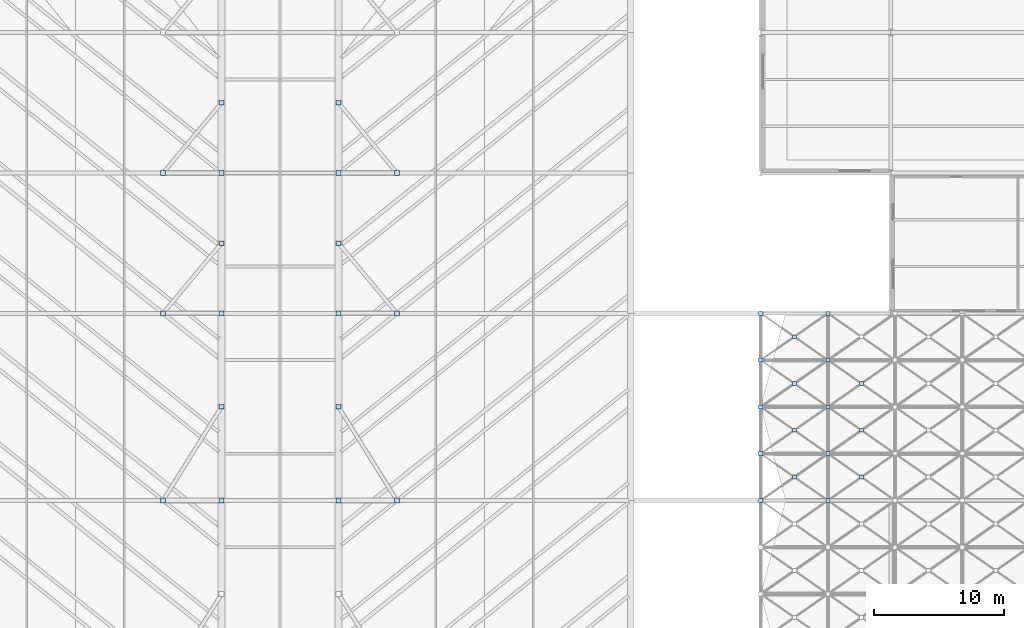
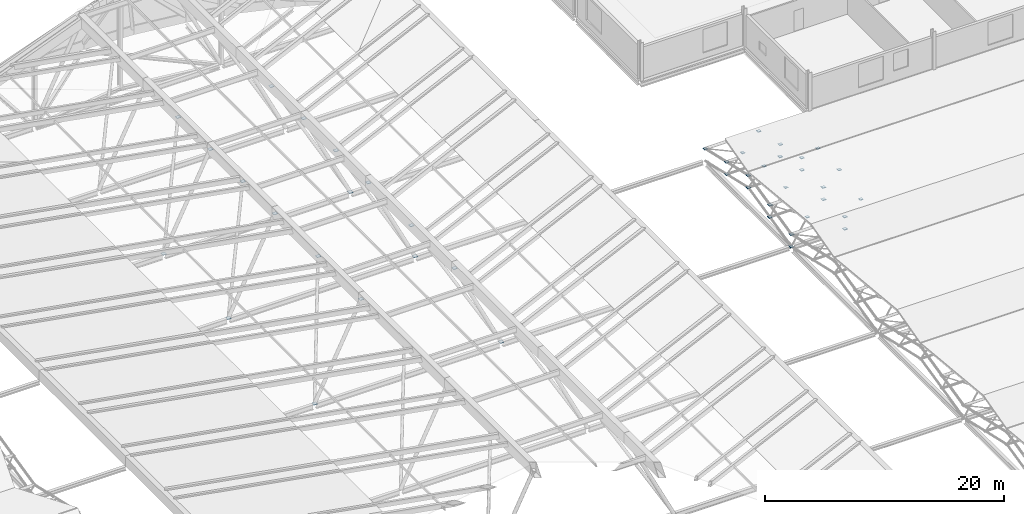
# One storey, part 89 of 110: 43 plates.
"""IFC4 building model written with IfcOpenShell, lengths in metres."""

from ifc_helpers import new_model, si_unit, direction, frame, origin, origin_2d, place, context, subcontext, project, spatial, rectangle, extrude, material, layer, layer_set, type_object, element, save


model = new_model("IFC4")

# Units and contexts
model_context = context("Model", 3, precision=1e-05, world=origin(), true_north=direction((0.0, 1.0)))
body_context = subcontext(model_context, "Body", "Model", "MODEL_VIEW")
ifc_project = project(units=[si_unit("LENGTHUNIT", "METRE"), si_unit("AREAUNIT", "SQUARE_METRE"), si_unit("VOLUMEUNIT", "CUBIC_METRE"), si_unit("PLANEANGLEUNIT", "RADIAN"), si_unit("MASSUNIT", "GRAM", prefix="KILO")], contexts=[model_context])

# Site, building, storey
site_placement = place(None, origin())
site = spatial("IfcSite", under=ifc_project, at=site_placement, CompositionType="ELEMENT")
building_placement = place(site_placement, origin())
building = spatial("IfcBuilding", under=site, at=building_placement, Name="Tamarisk Ironworks Central Station", CompositionType="ELEMENT")
storey_placement = place(building_placement, frame((0.0, 0.0, 17.39990234375)))
storey = spatial("IfcBuildingStorey", under=building, at=storey_placement, Name="L03", CompositionType="ELEMENT", Elevation=17.39990234375)

# Plates
ifc_material_1 = material(Name="Structural steel S355J2H", Category="steel")
ifc_layer_1 = layer(ifc_material_1, 0.02587890625)
ifc_layer_set_1 = layer_set([ifc_layer_1], Name="Structural steel S355J2H")
plate_type_1 = type_object("IfcPlateType", Name="PL-ND26", PredefinedType="SHEET", material=ifc_layer_set_1)
for number, where, z_axis, x_axis, name in (
    (1, (118.0, 64.800048828125, -0.48291015625), (0.0, 0.0, 1.0), (1.0, 0.0, 0.0), "Space-frame collector node plate 0825"),
    (2, (123.166748046875, 64.800048828125, -0.48291015625), (0.0, 0.0, 1.0), (1.0, 0.0, 0.0), "Space-frame collector node plate 0826"),
):
    element("IfcPlate", number, at=place(storey_placement, frame(where, z_axis=z_axis, x_axis=x_axis)), inside=storey, type_object=plate_type_1, Name=name, PredefinedType="SHEET", context=body_context, shape_type="SweptSolid", body=[
        extrude(rectangle(XDim=0.320068359375, YDim=0.320068359375, at=origin_2d()), origin(), (0.0, 0.0, 1.0), 0.02587890625),
    ])
plate_1_placement = place(storey_placement, frame((120.583251953125, 66.60009765625, -0.6953125), z_axis=(0.0, 0.0, 1.0), x_axis=(1.0, 0.0, 0.0)))
element("IfcPlate", 3, at=plate_1_placement, inside=storey, type_object=plate_type_1, Name="Space-frame X-brace crossing gusset plate 0959", PredefinedType="SHEET", context=body_context, shape_type="SweptSolid", body=[
    extrude(rectangle(XDim=0.300048828125, YDim=0.300048828125, at=origin_2d()), origin(), (0.0, 0.0, 1.0), 0.02587890625),
])
for number, where, z_axis, x_axis, name in (
    (4, (118.0, 64.800048828125, -1.73291015625), (0.0, 0.0, 1.0), (1.0, 0.0, 0.0), "Space-frame collector node plate 0960"),
    (5, (123.166748046875, 64.800048828125, -1.73291015625), (0.0, 0.0, 1.0), (1.0, 0.0, 0.0), "Space-frame collector node plate 0961"),
    (6, (118.0, 68.39990234375, 0.342041015625), (0.0, 0.0, 1.0), (1.0, 0.0, 0.0), "Space-frame collector node plate 0962"),
    (7, (123.166748046875, 68.39990234375, 0.342041015625), (0.0, 0.0, 1.0), (1.0, 0.0, 0.0), "Space-frame collector node plate 0963"),
):
    element("IfcPlate", number, at=place(storey_placement, frame(where, z_axis=z_axis, x_axis=x_axis)), inside=storey, type_object=plate_type_1, Name=name, PredefinedType="SHEET", context=body_context, shape_type="SweptSolid", body=[
        extrude(rectangle(XDim=0.320068359375, YDim=0.320068359375, at=origin_2d()), origin(), (0.0, 0.0, 1.0), 0.02587890625),
    ])
plate_2_placement = place(storey_placement, frame((120.583251953125, 70.199951171875, 0.129638671875), z_axis=(0.0, 0.0, 1.0), x_axis=(1.0, 0.0, 0.0)))
element("IfcPlate", 8, at=plate_2_placement, inside=storey, type_object=plate_type_1, Name="Space-frame X-brace crossing gusset plate 0964", PredefinedType="SHEET", context=body_context, shape_type="SweptSolid", body=[
    extrude(rectangle(XDim=0.300048828125, YDim=0.300048828125, at=origin_2d()), origin(), (0.0, 0.0, 1.0), 0.02587890625),
])
for number, where, z_axis, x_axis, name in (
    (9, (118.0, 68.39990234375, -0.907958984375), (0.0, 0.0, 1.0), (1.0, 0.0, 0.0), "Space-frame collector node plate 0965"),
    (10, (123.166748046875, 68.39990234375, -0.907958984375), (0.0, 0.0, 1.0), (1.0, 0.0, 0.0), "Space-frame collector node plate 0966"),
    (11, (118.0, 72.0, 1.167236328125), (0.0, 0.0, 1.0), (1.0, 0.0, 0.0), "Space-frame collector node plate 0967"),
    (12, (123.166748046875, 72.0, 1.167236328125), (0.0, 0.0, 1.0), (1.0, 0.0, 0.0), "Space-frame collector node plate 0968"),
):
    element("IfcPlate", number, at=place(storey_placement, frame(where, z_axis=z_axis, x_axis=x_axis)), inside=storey, type_object=plate_type_1, Name=name, PredefinedType="SHEET", context=body_context, shape_type="SweptSolid", body=[
        extrude(rectangle(XDim=0.320068359375, YDim=0.320068359375, at=origin_2d()), origin(), (0.0, 0.0, 1.0), 0.02587890625),
    ])
plate_3_placement = place(storey_placement, frame((120.583251953125, 73.800048828125, 0.129638671875), z_axis=(0.0, 0.0, 1.0), x_axis=(1.0, 0.0, 0.0)))
element("IfcPlate", 13, at=plate_3_placement, inside=storey, type_object=plate_type_1, Name="Space-frame X-brace crossing gusset plate 0969", PredefinedType="SHEET", context=body_context, shape_type="SweptSolid", body=[
    extrude(rectangle(XDim=0.300048828125, YDim=0.300048828125, at=origin_2d()), origin(), (0.0, 0.0, 1.0), 0.02587890625),
])
for number, where, z_axis, x_axis, name in (
    (14, (118.0, 72.0, -0.082763671875), (0.0, 0.0, 1.0), (1.0, 0.0, 0.0), "Space-frame collector node plate 0970"),
    (15, (123.166748046875, 72.0, -0.082763671875), (0.0, 0.0, 1.0), (1.0, 0.0, 0.0), "Space-frame collector node plate 0971"),
    (16, (118.0, 75.60009765625, 0.342041015625), (0.0, 0.0, 1.0), (1.0, 0.0, 0.0), "Space-frame collector node plate 0972"),
    (17, (123.166748046875, 75.60009765625, 0.342041015625), (0.0, 0.0, 1.0), (1.0, 0.0, 0.0), "Space-frame collector node plate 0973"),
):
    element("IfcPlate", number, at=place(storey_placement, frame(where, z_axis=z_axis, x_axis=x_axis)), inside=storey, type_object=plate_type_1, Name=name, PredefinedType="SHEET", context=body_context, shape_type="SweptSolid", body=[
        extrude(rectangle(XDim=0.320068359375, YDim=0.320068359375, at=origin_2d()), origin(), (0.0, 0.0, 1.0), 0.02587890625),
    ])
plate_4_placement = place(storey_placement, frame((120.583251953125, 77.39990234375, -0.6953125), z_axis=(0.0, 0.0, 1.0), x_axis=(1.0, 0.0, 0.0)))
element("IfcPlate", 18, at=plate_4_placement, inside=storey, type_object=plate_type_1, Name="Space-frame X-brace crossing gusset plate 0974", PredefinedType="SHEET", context=body_context, shape_type="SweptSolid", body=[
    extrude(rectangle(XDim=0.300048828125, YDim=0.300048828125, at=origin_2d()), origin(), (0.0, 0.0, 1.0), 0.02587890625),
])
for number, where, z_axis, x_axis, name in (
    (19, (118.0, 75.60009765625, -0.907958984375), (0.0, 0.0, 1.0), (1.0, 0.0, 0.0), "Space-frame collector node plate 0975"),
    (20, (123.166748046875, 75.60009765625, -0.907958984375), (0.0, 0.0, 1.0), (1.0, 0.0, 0.0), "Space-frame collector node plate 0976"),
    (21, (118.0, 79.199951171875, -0.48291015625), (0.0, 0.0, 1.0), (1.0, 0.0, 0.0), "Space-frame collector node plate 0977"),
    (22, (123.166748046875, 79.199951171875, -0.48291015625), (0.0, 0.0, 1.0), (1.0, 0.0, 0.0), "Space-frame collector node plate 0978"),
):
    element("IfcPlate", number, at=place(storey_placement, frame(where, z_axis=z_axis, x_axis=x_axis)), inside=storey, type_object=plate_type_1, Name=name, PredefinedType="SHEET", context=body_context, shape_type="SweptSolid", body=[
        extrude(rectangle(XDim=0.320068359375, YDim=0.320068359375, at=origin_2d()), origin(), (0.0, 0.0, 1.0), 0.02587890625),
    ])
for number, where, z_axis, x_axis, name in (
    (23, (125.75, 66.60009765625, -0.6953125), (0.0, 0.0, 1.0), (1.0, 0.0, 0.0), "Space-frame X-brace crossing gusset plate 0979"),
    (24, (125.75, 70.199951171875, 0.129638671875), (0.0, 0.0, 1.0), (1.0, 0.0, 0.0), "Space-frame X-brace crossing gusset plate 0982"),
    (25, (125.75, 73.800048828125, 0.129638671875), (0.0, 0.0, 1.0), (1.0, 0.0, 0.0), "Space-frame X-brace crossing gusset plate 0985"),
):
    element("IfcPlate", number, at=place(storey_placement, frame(where, z_axis=z_axis, x_axis=x_axis)), inside=storey, type_object=plate_type_1, Name=name, PredefinedType="SHEET", context=body_context, shape_type="SweptSolid", body=[
        extrude(rectangle(XDim=0.300048828125, YDim=0.300048828125, at=origin_2d()), origin(), (0.0, 0.0, 1.0), 0.02587890625),
    ])
ifc_material_2 = material(Name="Structural steel S355J2", Category="steel")
ifc_layer_2 = layer(ifc_material_2, 0.0380859375)
ifc_layer_set_2 = layer_set([ifc_layer_2], Name="Structural steel S355J2")
plate_type_2 = type_object("IfcPlateType", Name="PL-ND38", PredefinedType="SHEET", material=ifc_layer_set_2)
plate_5_placement = place(storey_placement, frame((76.5, 72.0, 7.43115234375), z_axis=(0.0, 0.0, 1.0), x_axis=(1.0, 0.0, 0.0)))
element("IfcPlate", 26, at=plate_5_placement, inside=storey, type_object=plate_type_2, Name="Concourse spine diagonal V-strut top gusset 031", PredefinedType="SHEET", context=body_context, shape_type="SweptSolid", body=[
    extrude(rectangle(XDim=0.360107421875, YDim=0.360107421875, at=origin_2d()), origin(), (0.0, 0.0, 1.0), 0.0380859375),
])
plate_6_placement = place(storey_placement, frame((72.0, 64.800048828125, -1.658935546875), z_axis=(0.0, 0.0, 1.0), x_axis=(1.0, 0.0, 0.0)))
element("IfcPlate", 27, at=plate_6_placement, inside=storey, type_object=plate_type_2, Name="Concourse V-strut base pin gusset 032", PredefinedType="SHEET", context=body_context, shape_type="SweptSolid", body=[
    extrude(rectangle(XDim=0.3798828125, YDim=0.3798828125, at=origin_2d()), origin(), (0.0, 0.0, 1.0), 0.0380859375),
])
for number, where, z_axis, x_axis, name in (
    (28, (76.5, 64.800048828125, 7.43115234375), (0.0, 0.0, 1.0), (1.0, 0.0, 0.0), "Concourse V-strut spine gusset 033"),
    (29, (85.5, 72.0, 7.43115234375), (0.0, 0.0, 1.0), (1.0, 0.0, 0.0), "Concourse spine diagonal V-strut top gusset 034"),
):
    element("IfcPlate", number, at=place(storey_placement, frame(where, z_axis=z_axis, x_axis=x_axis)), inside=storey, type_object=plate_type_2, Name=name, PredefinedType="SHEET", context=body_context, shape_type="SweptSolid", body=[
        extrude(rectangle(XDim=0.360107421875, YDim=0.360107421875, at=origin_2d()), origin(), (0.0, 0.0, 1.0), 0.0380859375),
    ])
plate_7_placement = place(storey_placement, frame((90.0, 64.800048828125, -1.658935546875), z_axis=(0.0, 0.0, 1.0), x_axis=(1.0, 0.0, 0.0)))
element("IfcPlate", 30, at=plate_7_placement, inside=storey, type_object=plate_type_2, Name="Concourse V-strut base pin gusset 035", PredefinedType="SHEET", context=body_context, shape_type="SweptSolid", body=[
    extrude(rectangle(XDim=0.3798828125, YDim=0.3798828125, at=origin_2d()), origin(), (0.0, 0.0, 1.0), 0.0380859375),
])
for number, where, z_axis, x_axis, name in (
    (31, (85.5, 64.800048828125, 7.43115234375), (0.0, 0.0, 1.0), (1.0, 0.0, 0.0), "Concourse V-strut spine gusset 036"),
    (32, (76.5, 84.60009765625, 7.43115234375), (0.0, 0.0, 1.0), (1.0, 0.0, 0.0), "Concourse spine diagonal V-strut top gusset 037"),
):
    element("IfcPlate", number, at=place(storey_placement, frame(where, z_axis=z_axis, x_axis=x_axis)), inside=storey, type_object=plate_type_2, Name=name, PredefinedType="SHEET", context=body_context, shape_type="SweptSolid", body=[
        extrude(rectangle(XDim=0.360107421875, YDim=0.360107421875, at=origin_2d()), origin(), (0.0, 0.0, 1.0), 0.0380859375),
    ])
plate_8_placement = place(storey_placement, frame((72.0, 79.199951171875, -1.658935546875), z_axis=(0.0, 0.0, 1.0), x_axis=(1.0, 0.0, 0.0)))
element("IfcPlate", 33, at=plate_8_placement, inside=storey, type_object=plate_type_2, Name="Concourse V-strut base pin gusset 038", PredefinedType="SHEET", context=body_context, shape_type="SweptSolid", body=[
    extrude(rectangle(XDim=0.3798828125, YDim=0.3798828125, at=origin_2d()), origin(), (0.0, 0.0, 1.0), 0.0380859375),
])
for number, where, z_axis, x_axis, name in (
    (34, (76.5, 79.199951171875, 7.43115234375), (0.0, 0.0, 1.0), (1.0, 0.0, 0.0), "Concourse V-strut spine gusset 039"),
    (35, (85.5, 84.60009765625, 7.43115234375), (0.0, 0.0, 1.0), (1.0, 0.0, 0.0), "Concourse spine diagonal V-strut top gusset 040"),
):
    element("IfcPlate", number, at=place(storey_placement, frame(where, z_axis=z_axis, x_axis=x_axis)), inside=storey, type_object=plate_type_2, Name=name, PredefinedType="SHEET", context=body_context, shape_type="SweptSolid", body=[
        extrude(rectangle(XDim=0.360107421875, YDim=0.360107421875, at=origin_2d()), origin(), (0.0, 0.0, 1.0), 0.0380859375),
    ])
plate_9_placement = place(storey_placement, frame((90.0, 79.199951171875, -1.658935546875), z_axis=(0.0, 0.0, 1.0), x_axis=(1.0, 0.0, 0.0)))
element("IfcPlate", 36, at=plate_9_placement, inside=storey, type_object=plate_type_2, Name="Concourse V-strut base pin gusset 041", PredefinedType="SHEET", context=body_context, shape_type="SweptSolid", body=[
    extrude(rectangle(XDim=0.3798828125, YDim=0.3798828125, at=origin_2d()), origin(), (0.0, 0.0, 1.0), 0.0380859375),
])
for number, where, z_axis, x_axis, name in (
    (37, (85.5, 79.199951171875, 7.43115234375), (0.0, 0.0, 1.0), (1.0, 0.0, 0.0), "Concourse V-strut spine gusset 042"),
    (38, (76.5, 95.39990234375, 7.43115234375), (0.0, 0.0, 1.0), (1.0, 0.0, 0.0), "Concourse spine diagonal V-strut top gusset 043"),
):
    element("IfcPlate", number, at=place(storey_placement, frame(where, z_axis=z_axis, x_axis=x_axis)), inside=storey, type_object=plate_type_2, Name=name, PredefinedType="SHEET", context=body_context, shape_type="SweptSolid", body=[
        extrude(rectangle(XDim=0.360107421875, YDim=0.360107421875, at=origin_2d()), origin(), (0.0, 0.0, 1.0), 0.0380859375),
    ])
plate_10_placement = place(storey_placement, frame((72.0, 90.0, -1.658935546875), z_axis=(0.0, 0.0, 1.0), x_axis=(1.0, 0.0, 0.0)))
element("IfcPlate", 39, at=plate_10_placement, inside=storey, type_object=plate_type_2, Name="Concourse V-strut base pin gusset 044", PredefinedType="SHEET", context=body_context, shape_type="SweptSolid", body=[
    extrude(rectangle(XDim=0.3798828125, YDim=0.3798828125, at=origin_2d()), origin(), (0.0, 0.0, 1.0), 0.0380859375),
])
for number, where, z_axis, x_axis, name in (
    (40, (76.5, 90.0, 7.43115234375), (0.0, 0.0, 1.0), (1.0, 0.0, 0.0), "Concourse V-strut spine gusset 045"),
    (41, (85.5, 95.39990234375, 7.43115234375), (0.0, 0.0, 1.0), (1.0, 0.0, 0.0), "Concourse spine diagonal V-strut top gusset 046"),
):
    element("IfcPlate", number, at=place(storey_placement, frame(where, z_axis=z_axis, x_axis=x_axis)), inside=storey, type_object=plate_type_2, Name=name, PredefinedType="SHEET", context=body_context, shape_type="SweptSolid", body=[
        extrude(rectangle(XDim=0.360107421875, YDim=0.360107421875, at=origin_2d()), origin(), (0.0, 0.0, 1.0), 0.0380859375),
    ])
plate_11_placement = place(storey_placement, frame((90.0, 90.0, -1.658935546875), z_axis=(0.0, 0.0, 1.0), x_axis=(1.0, 0.0, 0.0)))
element("IfcPlate", 42, at=plate_11_placement, inside=storey, type_object=plate_type_2, Name="Concourse V-strut base pin gusset 047", PredefinedType="SHEET", context=body_context, shape_type="SweptSolid", body=[
    extrude(rectangle(XDim=0.3798828125, YDim=0.3798828125, at=origin_2d()), origin(), (0.0, 0.0, 1.0), 0.0380859375),
])
plate_12_placement = place(storey_placement, frame((85.5, 90.0, 7.43115234375), z_axis=(0.0, 0.0, 1.0), x_axis=(1.0, 0.0, 0.0)))
element("IfcPlate", 43, at=plate_12_placement, inside=storey, type_object=plate_type_2, Name="Concourse V-strut spine gusset 048", PredefinedType="SHEET", context=body_context, shape_type="SweptSolid", body=[
    extrude(rectangle(XDim=0.360107421875, YDim=0.360107421875, at=origin_2d()), origin(), (0.0, 0.0, 1.0), 0.0380859375),
])

save(model, "model.ifc")
